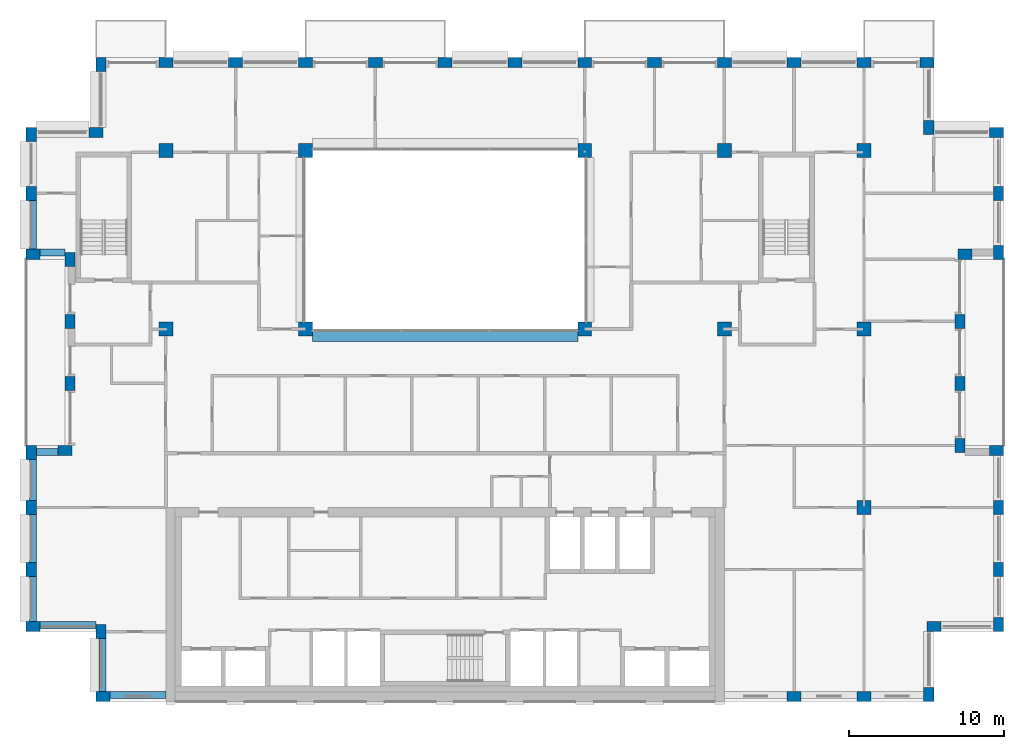
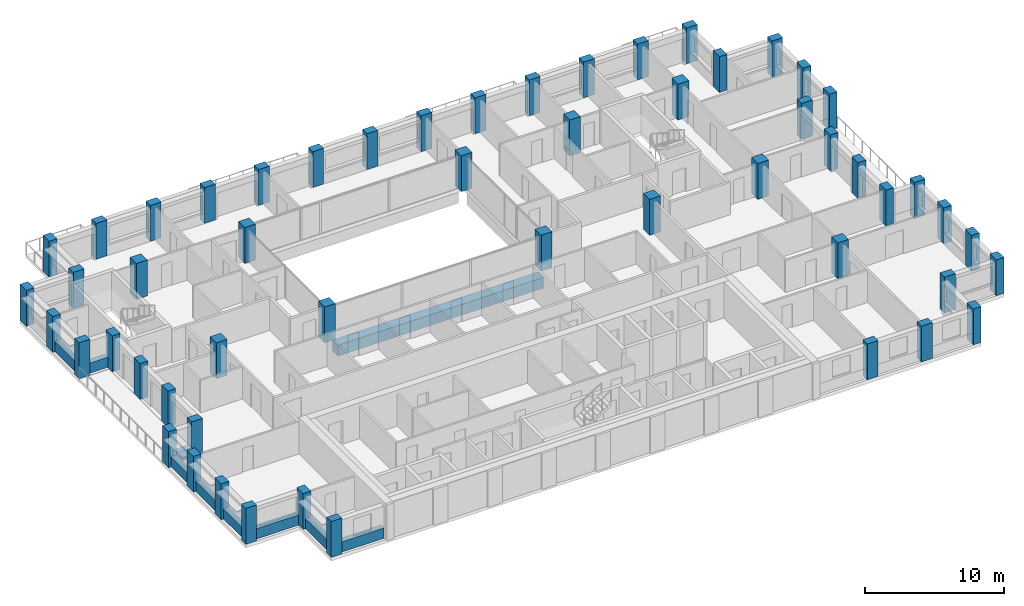
# One storey, part 1 of 15: 54 columns, 10 beams.
"""IFC4 building model written with IfcOpenShell, lengths in metres."""

from ifc_helpers import new_model, si_unit, direction, frame, origin, origin_2d, place, context, subcontext, project, spatial, rectangle, extrude, material, material_profile, profile_set, type_object, element, save


model = new_model("IFC4")

# Units and contexts
model_context = context("Model", 3, precision=1e-05, world=origin(), true_north=direction((0.0, 1.0)))
body_context = subcontext(model_context, "Body", "Model", "MODEL_VIEW")
ifc_project = project(units=[si_unit("LENGTHUNIT", "METRE"), si_unit("AREAUNIT", "SQUARE_METRE"), si_unit("VOLUMEUNIT", "CUBIC_METRE"), si_unit("PLANEANGLEUNIT", "RADIAN"), si_unit("MASSUNIT", "GRAM", prefix="KILO")], contexts=[model_context])

# Site, building, storey
site_placement = place(None, origin())
site = spatial("IfcSite", under=ifc_project, at=site_placement, CompositionType="ELEMENT")
building_placement = place(site_placement, origin())
building = spatial("IfcBuilding", under=site, at=building_placement, Name="Brigalow Station Residences", CompositionType="ELEMENT")
storey_placement = place(building_placement, frame((0.0, 0.0, 216.89990234375)))
storey = spatial("IfcBuildingStorey", under=building, at=storey_placement, Name="L62", CompositionType="ELEMENT", Elevation=216.89990234375)

# Columns
ifc_material_1 = material(Name="Concrete C50", Category="concrete")
ifc_material_profile_1 = material_profile(ifc_material_1, rectangle(XDim=0.89990234375, YDim=0.89990234375, at=origin_2d()), Name="RC900x900")
ifc_profile_set_1 = profile_set([ifc_material_profile_1], Name="Concrete C50")
column_type_1 = type_object("IfcColumnType", Name="COLUMN 900x900 C50", PredefinedType="COLUMN", material=ifc_profile_set_1)
for number, where, z_axis, x_axis, name in (
    (1, (18.0, 24.0, 0.0), (0.0, 0.0, 1.0), (1.0, 0.0, 0.0), "COLUMN C2 L62"),
    (2, (27.0, 24.0, 0.0), (0.0, 0.0, 1.0), (1.0, 0.0, 0.0), "COLUMN C3 L62"),
    (3, (45.0, 24.0, 0.0), (0.0, 0.0, 1.0), (1.0, 0.0, 0.0), "COLUMN C5 L62"),
    (4, (54.0, 24.0, 0.0), (0.0, 0.0, 1.0), (1.0, 0.0, 0.0), "COLUMN C6 L62"),
    (5, (63.0, 24.0, 0.0), (0.0, 0.0, 1.0), (1.0, 0.0, 0.0), "COLUMN C7 L62"),
    (6, (18.0, 35.5, 0.0), (0.0, 0.0, 1.0), (1.0, 0.0, 0.0), "COLUMN D2 L62"),
    (7, (27.0, 35.5, 0.0), (0.0, 0.0, 1.0), (1.0, 0.0, 0.0), "COLUMN D3 L62"),
    (8, (45.0, 35.5, 0.0), (0.0, 0.0, 1.0), (1.0, 0.0, 0.0), "COLUMN D5 L62"),
    (9, (54.0, 35.5, 0.0), (0.0, 0.0, 1.0), (1.0, 0.0, 0.0), "COLUMN D6 L62"),
    (10, (63.0, 35.5, 0.0), (0.0, 0.0, 1.0), (1.0, 0.0, 0.0), "COLUMN D7 L62"),
    (11, (63.0, 12.5, 0.0), (0.0, 0.0, 1.0), (1.0, 0.0, 0.0), "COLUMN B7 L62"),
):
    element("IfcColumn", number, at=place(storey_placement, frame(where, z_axis=z_axis, x_axis=x_axis)), inside=storey, type_object=column_type_1, Name=name, PredefinedType="COLUMN", context=body_context, shape_type="SweptSolid", body=[
        extrude(rectangle(XDim=0.89990234375, YDim=0.89990234375, at=origin_2d()), origin(), (0.0, 0.0, 1.0), 3.150146484375),
    ])
ifc_material_2 = material(Name="Concrete C50", Category="concrete")
ifc_material_profile_2 = material_profile(ifc_material_2, rectangle(XDim=0.89990234375, YDim=0.64990234375, at=origin_2d()), Name="RC900x650")
ifc_profile_set_2 = profile_set([ifc_material_profile_2], Name="Concrete C50")
column_type_2 = type_object("IfcColumnType", Name="PIER 900x650 C50", PredefinedType="USERDEFINED", material=ifc_profile_set_2)
for number, where, z_axis, x_axis, name in (
    (12, (13.949951171875, 0.324951171875, 0.0), (0.0, 0.0, 1.0), (1.0, 0.0, 0.0), "PIER S-1 L62"),
    (13, (58.5, 0.324951171875, 0.0), (0.0, 0.0, 1.0), (1.0, 0.0, 0.0), "PIER S-11 L62"),
    (14, (63.0, 0.324951171875, 0.0), (0.0, 0.0, 1.0), (1.0, 0.0, 0.0), "PIER S-12 L62"),
    (15, (67.175048828125, 0.449951171875, 0.0), (0.0, 0.0, 1.0), (0.0, 1.0, 0.0), "PIER SE1-1 L62"),
    (16, (67.5, 4.824951171875, 0.0), (0.0, 0.0, 1.0), (1.0, 0.0, 0.0), "PIER SE2-1 L62"),
    (17, (71.675048828125, 4.949951171875, 0.0), (0.0, 0.0, 1.0), (0.0, 1.0, 0.0), "PIER E1-1 L62"),
    (18, (71.675048828125, 8.5, 0.0), (0.0, 0.0, 1.0), (0.0, 1.0, 0.0), "PIER E1-2 L62"),
    (19, (71.675048828125, 12.5, 0.0), (0.0, 0.0, 1.0), (0.0, 1.0, 0.0), "PIER E1-3 L62"),
    (20, (71.550048828125, 16.175048828125, 0.0), (0.0, 0.0, 1.0), (-1.0, 0.0, 0.0), "PIER EL1-1 L62"),
    (21, (69.175048828125, 16.5, 0.0), (0.0, 0.0, 1.0), (0.0, 1.0, 0.0), "PIER EL2-1 L62"),
    (22, (69.175048828125, 20.5, 0.0), (0.0, 0.0, 1.0), (0.0, 1.0, 0.0), "PIER EL2-2 L62"),
    (23, (69.175048828125, 24.5, 0.0), (0.0, 0.0, 1.0), (0.0, 1.0, 0.0), "PIER EL2-3 L62"),
    (24, (69.5, 28.824951171875, 0.0), (0.0, 0.0, 1.0), (1.0, 0.0, 0.0), "PIER EL3-1 L62"),
    (25, (71.675048828125, 28.949951171875, 0.0), (0.0, 0.0, 1.0), (0.0, 1.0, 0.0), "PIER E2-1 L62"),
    (26, (71.675048828125, 32.75, 0.0), (0.0, 0.0, 1.0), (0.0, 1.0, 0.0), "PIER E2-2 L62"),
    (27, (71.550048828125, 36.675048828125, 0.0), (0.0, 0.0, 1.0), (-1.0, 0.0, 0.0), "PIER NE1-1 L62"),
    (28, (67.175048828125, 37.0, 0.0), (0.0, 0.0, 1.0), (0.0, 1.0, 0.0), "PIER NE2-1 L62"),
    (29, (67.050048828125, 41.175048828125, 0.0), (0.0, 0.0, 1.0), (-1.0, 0.0, 0.0), "PIER N-1 L62"),
    (30, (63.0, 41.175048828125, 0.0), (0.0, 0.0, 1.0), (-1.0, 0.0, 0.0), "PIER N-2 L62"),
    (31, (58.5, 41.175048828125, 0.0), (0.0, 0.0, 1.0), (-1.0, 0.0, 0.0), "PIER N-3 L62"),
    (32, (54.0, 41.175048828125, 0.0), (0.0, 0.0, 1.0), (-1.0, 0.0, 0.0), "PIER N-4 L62"),
    (33, (49.5, 41.175048828125, 0.0), (0.0, 0.0, 1.0), (-1.0, 0.0, 0.0), "PIER N-5 L62"),
    (34, (45.0, 41.175048828125, 0.0), (0.0, 0.0, 1.0), (-1.0, 0.0, 0.0), "PIER N-6 L62"),
    (35, (40.5, 41.175048828125, 0.0), (0.0, 0.0, 1.0), (-1.0, 0.0, 0.0), "PIER N-7 L62"),
    (36, (36.0, 41.175048828125, 0.0), (0.0, 0.0, 1.0), (-1.0, 0.0, 0.0), "PIER N-8 L62"),
    (37, (31.5, 41.175048828125, 0.0), (0.0, 0.0, 1.0), (-1.0, 0.0, 0.0), "PIER N-9 L62"),
    (38, (27.0, 41.175048828125, 0.0), (0.0, 0.0, 1.0), (-1.0, 0.0, 0.0), "PIER N-10 L62"),
    (39, (22.5, 41.175048828125, 0.0), (0.0, 0.0, 1.0), (-1.0, 0.0, 0.0), "PIER N-11 L62"),
    (40, (18.0, 41.175048828125, 0.0), (0.0, 0.0, 1.0), (-1.0, 0.0, 0.0), "PIER N-12 L62"),
    (41, (13.824951171875, 41.050048828125, 0.0), (0.0, 0.0, 1.0), (0.0, -1.0, 0.0), "PIER NW1-1 L62"),
    (42, (13.5, 36.675048828125, 0.0), (0.0, 0.0, 1.0), (-1.0, 0.0, 0.0), "PIER NW2-1 L62"),
    (43, (9.324951171875, 36.550048828125, 0.0), (0.0, 0.0, 1.0), (0.0, -1.0, 0.0), "PIER W2-1 L62"),
    (44, (9.324951171875, 32.75, 0.0), (0.0, 0.0, 1.0), (0.0, -1.0, 0.0), "PIER W2-2 L62"),
    (45, (9.449951171875, 28.824951171875, 0.0), (0.0, 0.0, 1.0), (1.0, 0.0, 0.0), "PIER WL1-1 L62"),
    (46, (11.824951171875, 28.5, 0.0), (0.0, 0.0, 1.0), (0.0, -1.0, 0.0), "PIER WL2-1 L62"),
    (47, (11.824951171875, 24.5, 0.0), (0.0, 0.0, 1.0), (0.0, -1.0, 0.0), "PIER WL2-2 L62"),
    (48, (11.824951171875, 20.5, 0.0), (0.0, 0.0, 1.0), (0.0, -1.0, 0.0), "PIER WL2-3 L62"),
    (49, (11.5, 16.175048828125, 0.0), (0.0, 0.0, 1.0), (-1.0, 0.0, 0.0), "PIER WL3-1 L62"),
    (50, (9.324951171875, 16.050048828125, 0.0), (0.0, 0.0, 1.0), (0.0, -1.0, 0.0), "PIER W1-1 L62"),
    (51, (9.324951171875, 12.5, 0.0), (0.0, 0.0, 1.0), (0.0, -1.0, 0.0), "PIER W1-2 L62"),
    (52, (9.324951171875, 8.5, 0.0), (0.0, 0.0, 1.0), (0.0, -1.0, 0.0), "PIER W1-3 L62"),
    (53, (9.449951171875, 4.824951171875, 0.0), (0.0, 0.0, 1.0), (1.0, 0.0, 0.0), "PIER SW1-1 L62"),
    (54, (13.824951171875, 4.5, 0.0), (0.0, 0.0, 1.0), (0.0, -1.0, 0.0), "PIER SW2-1 L62"),
):
    element("IfcColumn", number, at=place(storey_placement, frame(where, z_axis=z_axis, x_axis=x_axis)), inside=storey, type_object=column_type_2, Name=name, ObjectType="PIER", PredefinedType="USERDEFINED", context=body_context, shape_type="SweptSolid", body=[
        extrude(rectangle(XDim=0.89990234375, YDim=0.64990234375, at=origin_2d()), origin(), (0.0, 0.0, 1.0), 3.150146484375),
    ])

# Beams
ifc_material_3 = material(Name="Concrete C65", Category="concrete")
ifc_material_profile_3 = material_profile(ifc_material_3, rectangle(XDim=0.800048828125, YDim=0.949951171875, at=origin_2d()), Name="RC800x950")
ifc_profile_set_3 = profile_set([ifc_material_profile_3], Name="Concrete C65")
beam_type_1 = type_object("IfcBeamType", Name="ATRIUM EDGE GIRDER OVER 13.5 M SPAN 800x950 C65", PredefinedType="BEAM", material=ifc_profile_set_3)
beam_1_placement = place(storey_placement, frame((27.449951171875, 23.60009765625, -0.794921875), z_axis=(1.0, 0.0, 0.0), x_axis=(0.0, 1.0, 0.0)))
element("IfcBeam", 55, at=beam_1_placement, inside=storey, type_object=beam_type_1, Name="ATRIUM EDGE GIRDER C L62", PredefinedType="BEAM", context=body_context, shape_type="SweptSolid", body=[
    extrude(rectangle(XDim=0.800048828125, YDim=0.949951171875, at=origin_2d()), origin(), (0.0, 0.0, 1.0), 17.10009765625),
])
ifc_material_4 = material(Name="Concrete C50", Category="concrete")
ifc_material_profile_4 = material_profile(ifc_material_4, rectangle(XDim=0.449951171875, YDim=0.89990234375, at=origin_2d()), Name="RC450x900")
ifc_profile_set_4 = profile_set([ifc_material_profile_4], Name="Concrete C50")
beam_type_2 = type_object("IfcBeamType", Name="SPANDREL BEAM 450x900 C50", PredefinedType="SPANDREL", material=ifc_profile_set_4)
beam_2_placement = place(storey_placement, frame((14.39990234375, 0.425048828125, 0.4501953125), z_axis=(1.0, 0.0, 0.0), x_axis=(0.0, 1.0, 0.0)))
element("IfcBeam", 56, at=beam_2_placement, inside=storey, type_object=beam_type_2, Name="L62/spandrel/W-L62-1", PredefinedType="SPANDREL", context=body_context, shape_type="SweptSolid", body=[
    extrude(rectangle(XDim=0.449951171875, YDim=0.89990234375, at=origin_2d()), origin(), (0.0, 0.0, 1.0), 3.60009765625),
])
beam_3_placement = place(storey_placement, frame((9.425048828125, 32.300048828125, 0.4501953125), z_axis=(0.0, -1.0, 0.0), x_axis=(1.0, 0.0, 0.0)))
element("IfcBeam", 57, at=beam_3_placement, inside=storey, type_object=beam_type_2, Name="L62/spandrel/W-L62-35", PredefinedType="SPANDREL", context=body_context, shape_type="SweptSolid", body=[
    extrude(rectangle(XDim=0.449951171875, YDim=0.89990234375, at=origin_2d()), origin(), (0.0, 0.0, 1.0), 3.150146484375),
])
beam_4_placement = place(storey_placement, frame((9.89990234375, 28.925048828125, 0.4501953125), z_axis=(1.0, 0.0, 0.0), x_axis=(0.0, 1.0, 0.0)))
element("IfcBeam", 58, at=beam_4_placement, inside=storey, type_object=beam_type_2, Name="L62/spandrel/W-L62-36", PredefinedType="SPANDREL", context=body_context, shape_type="SweptSolid", body=[
    extrude(rectangle(XDim=0.449951171875, YDim=0.89990234375, at=origin_2d()), origin(), (0.0, 0.0, 1.0), 1.60009765625),
])
beam_5_placement = place(storey_placement, frame((11.050048828125, 16.074951171875, 0.4501953125), z_axis=(-1.0, 0.0, 0.0), x_axis=(0.0, -1.0, 0.0)))
element("IfcBeam", 59, at=beam_5_placement, inside=storey, type_object=beam_type_2, Name="L62/spandrel/W-L62-40", PredefinedType="SPANDREL", context=body_context, shape_type="SweptSolid", body=[
    extrude(rectangle(XDim=0.449951171875, YDim=0.89990234375, at=origin_2d()), origin(), (0.0, 0.0, 1.0), 1.400146484375),
])
beam_6_placement = place(storey_placement, frame((9.425048828125, 15.60009765625, 0.4501953125), z_axis=(0.0, -1.0, 0.0), x_axis=(1.0, 0.0, 0.0)))
element("IfcBeam", 60, at=beam_6_placement, inside=storey, type_object=beam_type_2, Name="L62/spandrel/W-L62-41", PredefinedType="SPANDREL", context=body_context, shape_type="SweptSolid", body=[
    extrude(rectangle(XDim=0.449951171875, YDim=0.89990234375, at=origin_2d()), origin(), (0.0, 0.0, 1.0), 2.650146484375),
])
beam_7_placement = place(storey_placement, frame((9.425048828125, 12.050048828125, 0.4501953125), z_axis=(0.0, -1.0, 0.0), x_axis=(1.0, 0.0, 0.0)))
element("IfcBeam", 61, at=beam_7_placement, inside=storey, type_object=beam_type_2, Name="L62/spandrel/W-L62-42", PredefinedType="SPANDREL", context=body_context, shape_type="SweptSolid", body=[
    extrude(rectangle(XDim=0.449951171875, YDim=0.89990234375, at=origin_2d()), origin(), (0.0, 0.0, 1.0), 3.10009765625),
])
beam_8_placement = place(storey_placement, frame((9.425048828125, 8.050048828125, 0.4501953125), z_axis=(0.0, -1.0, 0.0), x_axis=(1.0, 0.0, 0.0)))
element("IfcBeam", 62, at=beam_8_placement, inside=storey, type_object=beam_type_2, Name="L62/spandrel/W-L62-43", PredefinedType="SPANDREL", context=body_context, shape_type="SweptSolid", body=[
    extrude(rectangle(XDim=0.449951171875, YDim=0.89990234375, at=origin_2d()), origin(), (0.0, 0.0, 1.0), 2.900146484375),
])
beam_9_placement = place(storey_placement, frame((9.89990234375, 4.925048828125, 0.4501953125), z_axis=(1.0, 0.0, 0.0), x_axis=(0.0, 1.0, 0.0)))
element("IfcBeam", 63, at=beam_9_placement, inside=storey, type_object=beam_type_2, Name="L62/spandrel/W-L62-44", PredefinedType="SPANDREL", context=body_context, shape_type="SweptSolid", body=[
    extrude(rectangle(XDim=0.449951171875, YDim=0.89990234375, at=origin_2d()), origin(), (0.0, 0.0, 1.0), 3.60009765625),
])
beam_10_placement = place(storey_placement, frame((13.925048828125, 4.050048828125, 0.4501953125), z_axis=(0.0, -1.0, 0.0), x_axis=(1.0, 0.0, 0.0)))
element("IfcBeam", 64, at=beam_10_placement, inside=storey, type_object=beam_type_2, Name="L62/spandrel/W-L62-45", PredefinedType="SPANDREL", context=body_context, shape_type="SweptSolid", body=[
    extrude(rectangle(XDim=0.449951171875, YDim=0.89990234375, at=origin_2d()), origin(), (0.0, 0.0, 1.0), 3.400146484375),
])

save(model, "model.ifc")
